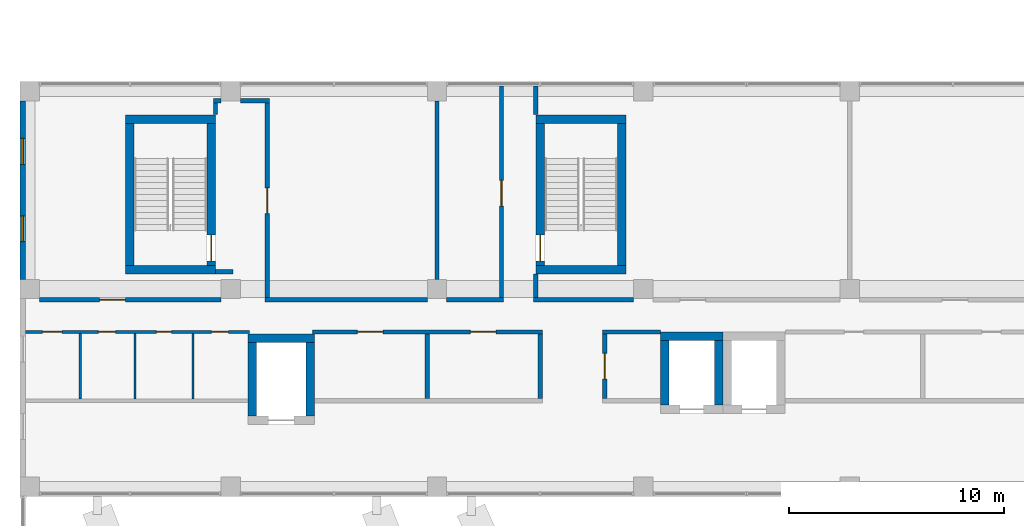
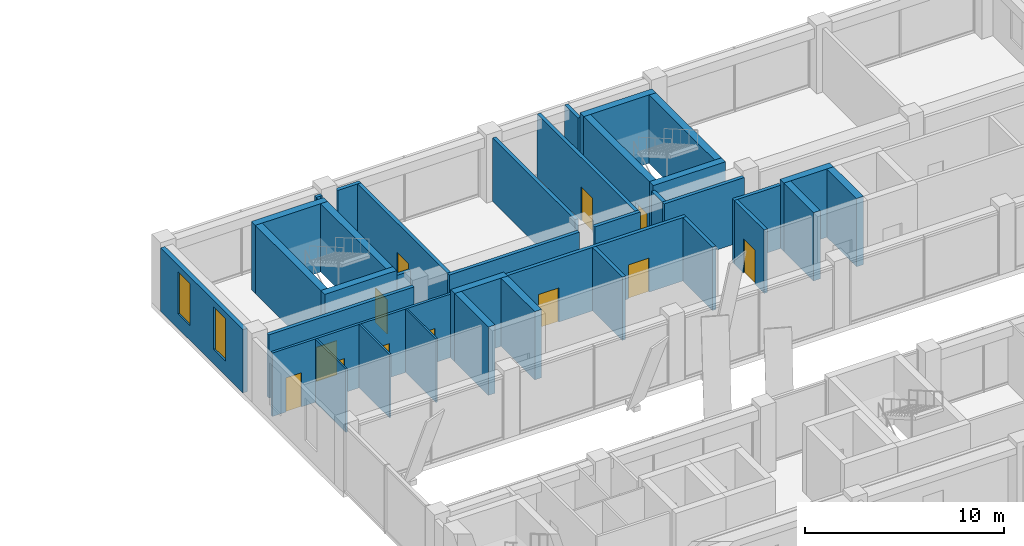
# One storey, part 28 of 36: 37 walls, 12 doors, 2 windows, 14 openings.
"""IFC4 building model written with IfcOpenShell, lengths in metres."""

from ifc_helpers import new_model, si_unit, direction, frame, frame_2d, origin, place, context, subcontext, project, spatial, rectangle, extrude, material, layer, layer_set, layer_usage, type_object, element, fill, save


model = new_model("IFC4")

# Units and contexts
model_context = context("Model", 3, precision=1e-05, world=origin(), true_north=direction((0.0, 1.0)))
body_context = subcontext(model_context, "Body", "Model", "MODEL_VIEW")
ifc_project = project(units=[si_unit("LENGTHUNIT", "METRE"), si_unit("AREAUNIT", "SQUARE_METRE"), si_unit("VOLUMEUNIT", "CUBIC_METRE"), si_unit("PLANEANGLEUNIT", "RADIAN"), si_unit("MASSUNIT", "GRAM", prefix="KILO")], contexts=[model_context])

# Site, building, storey
site_placement = place(None, origin())
site = spatial("IfcSite", under=ifc_project, at=site_placement, CompositionType="ELEMENT")
building_placement = place(site_placement, origin())
building = spatial("IfcBuilding", under=site, at=building_placement, Name="Nzadi Deep Aquarium and Research Tower", CompositionType="ELEMENT")
storey_placement = place(building_placement, frame((0.0, 0.0, 36.10009765625)))
storey = spatial("IfcBuildingStorey", under=building, at=storey_placement, Name="L06", CompositionType="ELEMENT", Elevation=36.10009765625)

# Wall, openings, windows
ifc_material_1 = material(Name="Concrete C35/45", Category="concrete")
ifc_layer_1 = layer(ifc_material_1, 0.14990234375, Category="cladding")
ifc_material_2 = material(Name="Mineral wool insulation")
ifc_layer_2 = layer(ifc_material_2, 0.070068359375, Category="insulation")
ifc_material_3 = material(Name="Gypsum board lining")
ifc_layer_3 = layer(ifc_material_3, 0.030029296875, Category="lining")
ifc_layer_set_1 = layer_set([ifc_layer_1, ifc_layer_2, ifc_layer_3], Name="Concrete C35/45, Mineral wool insulation, Gypsum board lining")
ifc_layer_usage = layer_usage(ifc_layer_set_1, "AXIS2", "POSITIVE", -0.125)
wall_type_1 = type_object("IfcWallType", Name="End wall board-formed concrete 250", PredefinedType="ELEMENTEDWALL", material=ifc_layer_set_1)
wall_1_placement = place(storey_placement, frame((-0.074462890625, 45.550048828125, 0.0), z_axis=(0.0, 0.0, 1.0), x_axis=(0.0, -1.0, 0.0)))
wall_1 = element("IfcWall", 1, at=wall_1_placement, inside=storey, type_object=wall_type_1, material=ifc_layer_usage, Name="End wall blade B west L06", PredefinedType="ELEMENTEDWALL", context=body_context, shape_type="SweptSolid", body=[
    extrude(rectangle(XDim=8.300048828125, YDim=0.25, at=frame_2d((4.14990234375, 0.0))), origin(), (0.0, 0.0, 1.0), 3.89990234375),
])
opening_1_placement = place(wall_1_placement, frame((5.35009765625, 0.0, 0.89990234375)))
opening_1 = element("IfcOpeningElement", 2, at=opening_1_placement, cuts=wall_1, Name="Opening WN04", PredefinedType="OPENING", context=body_context, shape_type="SweptSolid", body=[
    extrude(rectangle(XDim=1.199951171875, YDim=2.60009765625, at=frame_2d((0.60009765625, 1.300048828125))), frame((0.0, 0.135009765625, 0.0), z_axis=(0.0, -1.0, 0.0), x_axis=(1.0, 0.0, 0.0)), (0.0, 0.0, 1.0), 0.27001953125),
])
opening_2_placement = place(wall_1_placement, frame((1.75, 0.0, 0.89990234375)))
opening_2 = element("IfcOpeningElement", 3, at=opening_2_placement, cuts=wall_1, Name="Opening WN04", PredefinedType="OPENING", context=body_context, shape_type="SweptSolid", body=[
    extrude(rectangle(XDim=1.199951171875, YDim=2.60009765625, at=frame_2d((0.60009765625, 1.300048828125))), frame((0.0, 0.135009765625, 0.0), z_axis=(0.0, -1.0, 0.0), x_axis=(1.0, 0.0, 0.0)), (0.0, 0.0, 1.0), 0.27001953125),
])
ifc_material_4 = material(Name="Aluminium window, sage tint glazing", Category="aluminium")
window_type = type_object("IfcWindowType", Name="Slot window 1200x2600 sill 900", PartitioningType="SINGLE_PANEL", PredefinedType="WINDOW", material=ifc_material_4)
window_1_placement = place(opening_1_placement, origin())
window_1 = element("IfcWindow", 4, at=window_1_placement, inside=storey, type_object=window_type, Name="Slot window L06 BW", OverallHeight=2.60009765625, OverallWidth=1.199951171875, PartitioningType="SINGLE_PANEL", PredefinedType="WINDOW", context=body_context, shape_type="SweptSolid", body=[
    extrude(rectangle(XDim=1.199951171875, YDim=2.60009765625, at=frame_2d((0.60009765625, 1.300048828125))), frame((0.0, 0.030029296875, 0.0), z_axis=(0.0, -1.0, 0.0), x_axis=(1.0, 0.0, 0.0)), (0.0, 0.0, 1.0), 0.06005859375),
])
fill(opening_1, window_1)
window_2_placement = place(opening_2_placement, origin())
window_2 = element("IfcWindow", 5, at=window_2_placement, inside=storey, type_object=window_type, Name="Slot window L06 BW", OverallHeight=2.60009765625, OverallWidth=1.199951171875, PartitioningType="SINGLE_PANEL", PredefinedType="WINDOW", context=body_context, shape_type="SweptSolid", body=[
    extrude(rectangle(XDim=1.199951171875, YDim=2.60009765625, at=frame_2d((0.60009765625, 1.300048828125))), frame((0.0, 0.030029296875, 0.0), z_axis=(0.0, -1.0, 0.0), x_axis=(1.0, 0.0, 0.0)), (0.0, 0.0, 1.0), 0.06005859375),
])
fill(opening_2, window_2)

# Walls
ifc_material_5 = material(Name="Blockwork masonry", Category="masonry")
ifc_layer_4 = layer(ifc_material_5, 0.10009765625)
ifc_layer_set_2 = layer_set([ifc_layer_4], Name="Blockwork masonry")
wall_type_2 = type_object("IfcWallType", Name="Partition 100 EI 30", PredefinedType="PARTITIONING", material=ifc_layer_set_2)
for number, where, z_axis, x_axis, name in (
    (6, (2.60009765625, 31.675048828125, 0.0), (0.0, 0.0, 1.0), (0.0, 1.0, 0.0), "W-Z1-L06-P004"),
    (7, (5.14990234375, 31.675048828125, 0.0), (0.0, 0.0, 1.0), (0.0, 1.0, 0.0), "W-Z1-L06-P007"),
    (8, (7.85009765625, 31.675048828125, 0.0), (0.0, 0.0, 1.0), (0.0, 1.0, 0.0), "W-Z1-L06-P011"),
):
    element("IfcWall", number, at=place(storey_placement, frame(where, z_axis=z_axis, x_axis=x_axis)), inside=storey, type_object=wall_type_2, Name=name, PredefinedType="PARTITIONING", context=body_context, shape_type="SweptSolid", body=[
        extrude(rectangle(XDim=3.050048828125, YDim=0.10009765625, at=frame_2d((1.52490234375, 0.0))), origin(), (0.0, 0.0, 1.0), 3.89990234375),
    ])

# Wall, openings, doors
ifc_material_6 = material(Name="Blockwork masonry", Category="masonry")
ifc_layer_5 = layer(ifc_material_6, 0.14990234375)
ifc_layer_set_3 = layer_set([ifc_layer_5], Name="Blockwork masonry")
wall_type_3 = type_object("IfcWallType", Name="Partition 150 EI 60", PredefinedType="PARTITIONING", material=ifc_layer_set_3)
wall_2_placement = place(storey_placement, frame((0.055908203125, 34.800048828125, 0.0), z_axis=(0.0, 0.0, 1.0), x_axis=(1.0, 0.0, 0.0)))
wall_2 = element("IfcWall", 9, at=wall_2_placement, inside=storey, type_object=wall_type_3, Name="W-Z1-L06-P002", PredefinedType="PARTITIONING", context=body_context, shape_type="SweptSolid", body=[
    extrude(rectangle(XDim=10.419189453125, YDim=0.14990234375, at=frame_2d((5.20947265625, 0.0))), origin(), (0.0, 0.0, 1.0), 3.89990234375),
])
opening_3_placement = place(wall_2_placement, frame((0.7939453125, 0.0, 0.0)))
opening_3 = element("IfcOpeningElement", 10, at=opening_3_placement, cuts=wall_2, Name="Opening D071013", PredefinedType="OPENING", context=body_context, shape_type="SweptSolid", body=[
    extrude(rectangle(XDim=0.89990234375, YDim=2.10009765625, at=frame_2d((0.449951171875, 1.050048828125))), frame((0.0, 0.0849609375, 0.0), z_axis=(0.0, -1.0, 0.0), x_axis=(1.0, 0.0, 0.0)), (0.0, 0.0, 1.0), 0.169921875),
])
opening_4_placement = place(wall_2_placement, frame((3.39404296875, 0.0, 0.0)))
opening_4 = element("IfcOpeningElement", 11, at=opening_4_placement, cuts=wall_2, Name="Opening D071014", PredefinedType="OPENING", context=body_context, shape_type="SweptSolid", body=[
    extrude(rectangle(XDim=0.800048828125, YDim=2.10009765625, at=frame_2d((0.39990234375, 1.050048828125))), frame((0.0, 0.0849609375, 0.0), z_axis=(0.0, -1.0, 0.0), x_axis=(1.0, 0.0, 0.0)), (0.0, 0.0, 1.0), 0.169921875),
])
opening_5_placement = place(wall_2_placement, frame((6.093994140625, 0.0, 0.0)))
opening_5 = element("IfcOpeningElement", 12, at=opening_5_placement, cuts=wall_2, Name="Opening D071015", PredefinedType="OPENING", context=body_context, shape_type="SweptSolid", body=[
    extrude(rectangle(XDim=0.699951171875, YDim=2.10009765625, at=frame_2d((0.35009765625, 1.050048828125))), frame((0.0, 0.0849609375, 0.0), z_axis=(0.0, -1.0, 0.0), x_axis=(1.0, 0.0, 0.0)), (0.0, 0.0, 1.0), 0.169921875),
])
opening_6_placement = place(wall_2_placement, frame((8.64404296875, 0.0, 0.0)))
opening_6 = element("IfcOpeningElement", 13, at=opening_6_placement, cuts=wall_2, Name="Opening D071016", PredefinedType="OPENING", context=body_context, shape_type="SweptSolid", body=[
    extrude(rectangle(XDim=0.800048828125, YDim=2.10009765625, at=frame_2d((0.39990234375, 1.050048828125))), frame((0.0, 0.0849609375, 0.0), z_axis=(0.0, -1.0, 0.0), x_axis=(1.0, 0.0, 0.0)), (0.0, 0.0, 1.0), 0.169921875),
])
ifc_material_7 = material(Name="Fire-rated steel door", Category="steel")
ifc_layer_6 = layer(ifc_material_7, 0.050048828125)
ifc_layer_set_4 = layer_set([ifc_layer_6], Name="Fire-rated steel door")
door_type_1 = type_object("IfcDoorType", Name="Door 700x2100 EI 60 single", OperationType="SINGLE_SWING_LEFT", PredefinedType="DOOR", material=ifc_layer_set_4)
door_1_placement = place(opening_5_placement, origin())
door_1 = element("IfcDoor", 14, at=door_1_placement, inside=storey, type_object=door_type_1, Name="D071015", OperationType="SINGLE_SWING_LEFT", OverallHeight=2.10009765625, OverallWidth=0.699951171875, PredefinedType="DOOR", context=body_context, shape_type="SweptSolid", body=[
    extrude(rectangle(XDim=0.699951171875, YDim=2.10009765625, at=frame_2d((0.35009765625, 1.050048828125))), frame((0.0, 0.02490234375, 0.0), z_axis=(0.0, -1.0, 0.0), x_axis=(1.0, 0.0, 0.0)), (0.0, 0.0, 1.0), 0.050048828125),
])
fill(opening_5, door_1)
ifc_material_8 = material(Name="Fire-rated steel door", Category="steel")
ifc_layer_7 = layer(ifc_material_8, 0.050048828125)
ifc_layer_set_5 = layer_set([ifc_layer_7], Name="Fire-rated steel door")
door_type_2 = type_object("IfcDoorType", Name="Door 800x2100 EI 60 single", OperationType="SINGLE_SWING_LEFT", PredefinedType="DOOR", material=ifc_layer_set_5)
door_2_placement = place(opening_4_placement, origin())
door_2 = element("IfcDoor", 15, at=door_2_placement, inside=storey, type_object=door_type_2, Name="D071014", OperationType="SINGLE_SWING_LEFT", OverallHeight=2.10009765625, OverallWidth=0.800048828125, PredefinedType="DOOR", context=body_context, shape_type="SweptSolid", body=[
    extrude(rectangle(XDim=0.800048828125, YDim=2.10009765625, at=frame_2d((0.39990234375, 1.050048828125))), frame((0.0, 0.02490234375, 0.0), z_axis=(0.0, -1.0, 0.0), x_axis=(1.0, 0.0, 0.0)), (0.0, 0.0, 1.0), 0.050048828125),
])
fill(opening_4, door_2)
door_3_placement = place(opening_6_placement, origin())
door_3 = element("IfcDoor", 16, at=door_3_placement, inside=storey, type_object=door_type_2, Name="D071016", OperationType="SINGLE_SWING_LEFT", OverallHeight=2.10009765625, OverallWidth=0.800048828125, PredefinedType="DOOR", context=body_context, shape_type="SweptSolid", body=[
    extrude(rectangle(XDim=0.800048828125, YDim=2.10009765625, at=frame_2d((0.39990234375, 1.050048828125))), frame((0.0, 0.02490234375, 0.0), z_axis=(0.0, -1.0, 0.0), x_axis=(1.0, 0.0, 0.0)), (0.0, 0.0, 1.0), 0.050048828125),
])
fill(opening_6, door_3)
ifc_material_9 = material(Name="Fire-rated steel door", Category="steel")
ifc_layer_8 = layer(ifc_material_9, 0.050048828125)
ifc_layer_set_6 = layer_set([ifc_layer_8], Name="Fire-rated steel door")
door_type_3 = type_object("IfcDoorType", Name="Door 900x2100 EI 60 single", OperationType="SINGLE_SWING_LEFT", PredefinedType="DOOR", material=ifc_layer_set_6)
door_4_placement = place(opening_3_placement, origin())
door_4 = element("IfcDoor", 17, at=door_4_placement, inside=storey, type_object=door_type_3, Name="D071013", OperationType="SINGLE_SWING_LEFT", OverallHeight=2.10009765625, OverallWidth=0.89990234375, PredefinedType="DOOR", context=body_context, shape_type="SweptSolid", body=[
    extrude(rectangle(XDim=0.89990234375, YDim=2.10009765625, at=frame_2d((0.449951171875, 1.050048828125))), frame((0.0, 0.02490234375, 0.0), z_axis=(0.0, -1.0, 0.0), x_axis=(1.0, 0.0, 0.0)), (0.0, 0.0, 1.0), 0.050048828125),
])
fill(opening_3, door_4)

# Wall, opening, door
ifc_material_10 = material(Name="Blockwork masonry", Category="masonry")
ifc_layer_9 = layer(ifc_material_10, 0.199951171875)
ifc_layer_set_7 = layer_set([ifc_layer_9], Name="Blockwork masonry")
wall_type_4 = type_object("IfcWallType", Name="Partition 200 EI 120", PredefinedType="PARTITIONING", material=ifc_layer_set_7)
wall_3_placement = place(storey_placement, frame((0.699951171875, 36.300048828125, 0.0), z_axis=(0.0, 0.0, 1.0), x_axis=(1.0, 0.0, 0.0)))
wall_3 = element("IfcWall", 18, at=wall_3_placement, inside=storey, type_object=wall_type_4, Name="W-Z1-L06-P003", PredefinedType="PARTITIONING", context=body_context, shape_type="SweptSolid", body=[
    extrude(rectangle(XDim=8.449951171875, YDim=0.199951171875, at=frame_2d((4.22509765625, 0.0))), origin(), (0.0, 0.0, 1.0), 3.89990234375),
])
opening_7_placement = place(wall_3_placement, frame((2.800048828125, 0.0, 0.0)))
opening_7 = element("IfcOpeningElement", 19, at=opening_7_placement, cuts=wall_3, Name="Opening D071022", PredefinedType="OPENING", context=body_context, shape_type="SweptSolid", body=[
    extrude(rectangle(XDim=1.199951171875, YDim=2.10009765625, at=frame_2d((0.60009765625, 1.050048828125))), frame((0.0, 0.110107421875, 0.0), z_axis=(0.0, -1.0, 0.0), x_axis=(1.0, 0.0, 0.0)), (0.0, 0.0, 1.0), 0.22021484375),
])
ifc_material_11 = material(Name="Fire-rated steel door", Category="steel")
ifc_layer_10 = layer(ifc_material_11, 0.050048828125)
ifc_layer_set_8 = layer_set([ifc_layer_10], Name="Fire-rated steel door")
door_type_4 = type_object("IfcDoorType", Name="Door 1200x2100 EI 120 single", OperationType="SINGLE_SWING_LEFT", PredefinedType="DOOR", material=ifc_layer_set_8)
door_5_placement = place(opening_7_placement, origin())
door_5 = element("IfcDoor", 20, at=door_5_placement, inside=storey, type_object=door_type_4, Name="D071022", OperationType="SINGLE_SWING_RIGHT", OverallHeight=2.10009765625, OverallWidth=1.199951171875, PredefinedType="DOOR", context=body_context, shape_type="SweptSolid", body=[
    extrude(rectangle(XDim=1.199951171875, YDim=2.10009765625, at=frame_2d((0.60009765625, 1.050048828125))), frame((0.0, 0.02490234375, 0.0), z_axis=(0.0, -1.0, 0.0), x_axis=(1.0, 0.0, 0.0)), (0.0, 0.0, 1.0), 0.050048828125),
])
fill(opening_7, door_5)

# Walls
wall_4_placement = place(storey_placement, frame((8.89990234375, 44.906005859375, 0.0), z_axis=(0.0, 0.0, 1.0), x_axis=(0.0, 1.0, 0.0)))
element("IfcWall", 21, at=wall_4_placement, inside=storey, type_object=wall_type_4, Name="W-Z1-L06-P014", PredefinedType="PARTITIONING", context=body_context, shape_type="SweptSolid", body=[
    extrude(rectangle(XDim=0.5439453125, YDim=0.199951171875, at=frame_2d((0.27197265625, 0.0))), origin(), (0.0, 0.0, 1.0), 3.89990234375),
])
wall_5_placement = place(storey_placement, frame((8.800048828125, 45.550048828125, 0.0), z_axis=(0.0, 0.0, 1.0), x_axis=(1.0, 0.0, 0.0)))
element("IfcWall", 22, at=wall_5_placement, inside=storey, type_object=wall_type_4, Name="W-Z1-L06-P015", PredefinedType="PARTITIONING", context=body_context, shape_type="SweptSolid", body=[
    extrude(rectangle(XDim=0.349853515625, YDim=0.199951171875, at=frame_2d((0.1748046875, 0.0))), origin(), (0.0, 0.0, 1.0), 3.89990234375),
])
wall_6_placement = place(storey_placement, frame((8.906005859375, 37.60009765625, 0.0), z_axis=(0.0, 0.0, 1.0), x_axis=(1.0, 0.0, 0.0)))
element("IfcWall", 23, at=wall_6_placement, inside=storey, type_object=wall_type_4, Name="W-Z1-L06-P016", PredefinedType="PARTITIONING", context=body_context, shape_type="SweptSolid", body=[
    extrude(rectangle(XDim=0.7939453125, YDim=0.199951171875, at=frame_2d((0.39697265625, 0.0))), origin(), (0.0, 0.0, 1.0), 3.89990234375),
])
wall_7_placement = place(storey_placement, frame((10.050048828125, 45.550048828125, 0.0), z_axis=(0.0, 0.0, 1.0), x_axis=(1.0, 0.0, 0.0)))
element("IfcWall", 24, at=wall_7_placement, inside=storey, type_object=wall_type_4, Name="W-Z1-L06-P018", PredefinedType="PARTITIONING", context=body_context, shape_type="SweptSolid", body=[
    extrude(rectangle(XDim=1.349853515625, YDim=0.199951171875, at=frame_2d((0.6748046875, 0.0))), origin(), (0.0, 0.0, 1.0), 3.89990234375),
])
wall_8_placement = place(storey_placement, frame((11.199951171875, 36.300048828125, 0.0), z_axis=(0.0, 0.0, 1.0), x_axis=(1.0, 0.0, 0.0)))
element("IfcWall", 25, at=wall_8_placement, inside=storey, type_object=wall_type_4, Name="W-Z1-L06-P020", PredefinedType="PARTITIONING", context=body_context, shape_type="SweptSolid", body=[
    extrude(rectangle(XDim=7.550048828125, YDim=0.199951171875, at=frame_2d((3.77490234375, 0.0))), origin(), (0.0, 0.0, 1.0), 3.89990234375),
])

# Wall, opening, door
wall_9_placement = place(storey_placement, frame((11.300048828125, 36.39990234375, 0.0), z_axis=(0.0, 0.0, 1.0), x_axis=(0.0, 1.0, 0.0)))
wall_9 = element("IfcWall", 26, at=wall_9_placement, inside=storey, type_object=wall_type_4, Name="W-Z1-L06-P021", PredefinedType="PARTITIONING", context=body_context, shape_type="SweptSolid", body=[
    extrude(rectangle(XDim=9.050048828125, YDim=0.199951171875, at=frame_2d((4.52490234375, 0.0))), origin(), (0.0, 0.0, 1.0), 3.89990234375),
])
opening_8_placement = place(wall_9_placement, frame((3.89990234375, 0.0, 0.0)))
opening_8 = element("IfcOpeningElement", 27, at=opening_8_placement, cuts=wall_9, Name="Opening D071023", PredefinedType="OPENING", context=body_context, shape_type="SweptSolid", body=[
    extrude(rectangle(XDim=1.199951171875, YDim=2.10009765625, at=frame_2d((0.60009765625, 1.050048828125))), frame((0.0, 0.110107421875, 0.0), z_axis=(0.0, -1.0, 0.0), x_axis=(1.0, 0.0, 0.0)), (0.0, 0.0, 1.0), 0.22021484375),
])
door_6_placement = place(opening_8_placement, origin())
door_6 = element("IfcDoor", 28, at=door_6_placement, inside=storey, type_object=door_type_4, Name="D071023", OperationType="SINGLE_SWING_LEFT", OverallHeight=2.10009765625, OverallWidth=1.199951171875, PredefinedType="DOOR", context=body_context, shape_type="SweptSolid", body=[
    extrude(rectangle(XDim=1.199951171875, YDim=2.10009765625, at=frame_2d((0.60009765625, 1.050048828125))), frame((0.0, 0.02490234375, 0.0), z_axis=(0.0, -1.0, 0.0), x_axis=(1.0, 0.0, 0.0)), (0.0, 0.0, 1.0), 0.050048828125),
])
fill(opening_8, door_6)

# Wall, openings, doors
wall_10_placement = place(storey_placement, frame((13.39990234375, 34.800048828125, 0.0), z_axis=(0.0, 0.0, 1.0), x_axis=(1.0, 0.0, 0.0)))
wall_10 = element("IfcWall", 29, at=wall_10_placement, inside=storey, type_object=wall_type_4, Name="W-Z1-L06-P022", PredefinedType="PARTITIONING", context=body_context, shape_type="SweptSolid", body=[
    extrude(rectangle(XDim=10.7001953125, YDim=0.199951171875, at=frame_2d((5.35009765625, 0.0))), origin(), (0.0, 0.0, 1.0), 3.89990234375),
])
opening_9_placement = place(wall_10_placement, frame((2.10009765625, 0.0, 0.0)))
opening_9 = element("IfcOpeningElement", 30, at=opening_9_placement, cuts=wall_10, Name="Opening D071017", PredefinedType="OPENING", context=body_context, shape_type="SweptSolid", body=[
    extrude(rectangle(XDim=1.199951171875, YDim=2.10009765625, at=frame_2d((0.60009765625, 1.050048828125))), frame((0.0, 0.110107421875, 0.0), z_axis=(0.0, -1.0, 0.0), x_axis=(1.0, 0.0, 0.0)), (0.0, 0.0, 1.0), 0.22021484375),
])
opening_10_placement = place(wall_10_placement, frame((7.35009765625, 0.0, 0.0)))
opening_10 = element("IfcOpeningElement", 31, at=opening_10_placement, cuts=wall_10, Name="Opening D071018", PredefinedType="OPENING", context=body_context, shape_type="SweptSolid", body=[
    extrude(rectangle(XDim=1.199951171875, YDim=2.10009765625, at=frame_2d((0.60009765625, 1.050048828125))), frame((0.0, 0.110107421875, 0.0), z_axis=(0.0, -1.0, 0.0), x_axis=(1.0, 0.0, 0.0)), (0.0, 0.0, 1.0), 0.22021484375),
])
door_7_placement = place(opening_9_placement, origin())
door_7 = element("IfcDoor", 32, at=door_7_placement, inside=storey, type_object=door_type_4, Name="D071017", OperationType="SINGLE_SWING_RIGHT", OverallHeight=2.10009765625, OverallWidth=1.199951171875, PredefinedType="DOOR", context=body_context, shape_type="SweptSolid", body=[
    extrude(rectangle(XDim=1.199951171875, YDim=2.10009765625, at=frame_2d((0.60009765625, 1.050048828125))), frame((0.0, 0.02490234375, 0.0), z_axis=(0.0, -1.0, 0.0), x_axis=(1.0, 0.0, 0.0)), (0.0, 0.0, 1.0), 0.050048828125),
])
fill(opening_9, door_7)
door_8_placement = place(opening_10_placement, origin())
door_8 = element("IfcDoor", 33, at=door_8_placement, inside=storey, type_object=door_type_4, Name="D071018", OperationType="SINGLE_SWING_LEFT", OverallHeight=2.10009765625, OverallWidth=1.199951171875, PredefinedType="DOOR", context=body_context, shape_type="SweptSolid", body=[
    extrude(rectangle(XDim=1.199951171875, YDim=2.10009765625, at=frame_2d((0.60009765625, 1.050048828125))), frame((0.0, 0.02490234375, 0.0), z_axis=(0.0, -1.0, 0.0), x_axis=(1.0, 0.0, 0.0)), (0.0, 0.0, 1.0), 0.050048828125),
])
fill(opening_10, door_8)

# Walls
wall_11_placement = place(storey_placement, frame((18.75, 31.699951171875, 0.0), z_axis=(0.0, 0.0, 1.0), x_axis=(0.0, 1.0, 0.0)))
element("IfcWall", 34, at=wall_11_placement, inside=storey, type_object=wall_type_4, Name="W-Z1-L06-P024", PredefinedType="PARTITIONING", context=body_context, shape_type="SweptSolid", body=[
    extrude(rectangle(XDim=3.0, YDim=0.199951171875, at=frame_2d((1.5, 0.0))), origin(), (0.0, 0.0, 1.0), 3.89990234375),
])
wall_12_placement = place(storey_placement, frame((19.199951171875, 37.25, 0.0), z_axis=(0.0, 0.0, 1.0), x_axis=(0.0, 1.0, 0.0)))
element("IfcWall", 35, at=wall_12_placement, inside=storey, type_object=wall_type_4, Name="W-Z1-L06-P026", PredefinedType="PARTITIONING", context=body_context, shape_type="SweptSolid", body=[
    extrude(rectangle(XDim=8.300048828125, YDim=0.199951171875, at=frame_2d((4.14990234375, 0.0))), origin(), (0.0, 0.0, 1.0), 3.89990234375),
])
wall_13_placement = place(storey_placement, frame((19.64990234375, 36.300048828125, 0.0), z_axis=(0.0, 0.0, 1.0), x_axis=(1.0, 0.0, 0.0)))
element("IfcWall", 36, at=wall_13_placement, inside=storey, type_object=wall_type_4, Name="W-Z1-L06-P027", PredefinedType="PARTITIONING", context=body_context, shape_type="SweptSolid", body=[
    extrude(rectangle(XDim=2.650146484375, YDim=0.199951171875, at=frame_2d((1.3251953125, 0.0))), origin(), (0.0, 0.0, 1.0), 3.89990234375),
])

# Wall, opening, door
wall_14_placement = place(storey_placement, frame((22.199951171875, 36.39990234375, 0.0), z_axis=(0.0, 0.0, 1.0), x_axis=(0.0, 1.0, 0.0)))
wall_14 = element("IfcWall", 37, at=wall_14_placement, inside=storey, type_object=wall_type_4, Name="W-Z1-L06-P028", PredefinedType="PARTITIONING", context=body_context, shape_type="SweptSolid", body=[
    extrude(rectangle(XDim=9.843994140625, YDim=0.199951171875, at=frame_2d((4.921875, 0.0))), origin(), (0.0, 0.0, 1.0), 3.89990234375),
])
opening_11_placement = place(wall_14_placement, frame((4.25, 0.0, 0.0)))
opening_11 = element("IfcOpeningElement", 38, at=opening_11_placement, cuts=wall_14, Name="Opening D071024", PredefinedType="OPENING", context=body_context, shape_type="SweptSolid", body=[
    extrude(rectangle(XDim=1.199951171875, YDim=2.10009765625, at=frame_2d((0.60009765625, 1.050048828125))), frame((0.0, 0.110107421875, 0.0), z_axis=(0.0, -1.0, 0.0), x_axis=(1.0, 0.0, 0.0)), (0.0, 0.0, 1.0), 0.22021484375),
])
door_9_placement = place(opening_11_placement, origin())
door_9 = element("IfcDoor", 39, at=door_9_placement, inside=storey, type_object=door_type_4, Name="D071024", OperationType="SINGLE_SWING_RIGHT", OverallHeight=2.10009765625, OverallWidth=1.199951171875, PredefinedType="DOOR", context=body_context, shape_type="SweptSolid", body=[
    extrude(rectangle(XDim=1.199951171875, YDim=2.10009765625, at=frame_2d((0.60009765625, 1.050048828125))), frame((0.0, 0.02490234375, 0.0), z_axis=(0.0, -1.0, 0.0), x_axis=(1.0, 0.0, 0.0)), (0.0, 0.0, 1.0), 0.050048828125),
])
fill(opening_11, door_9)

# Walls
wall_15_placement = place(storey_placement, frame((23.699951171875, 36.300048828125, 0.0), z_axis=(0.0, 0.0, 1.0), x_axis=(1.0, 0.0, 0.0)))
element("IfcWall", 40, at=wall_15_placement, inside=storey, type_object=wall_type_4, Name="W-Z1-L06-P029", PredefinedType="PARTITIONING", context=body_context, shape_type="SweptSolid", body=[
    extrude(rectangle(XDim=4.650146484375, YDim=0.199951171875, at=frame_2d((2.3251953125, 0.0))), origin(), (0.0, 0.0, 1.0), 3.89990234375),
])
wall_16_placement = place(storey_placement, frame((23.800048828125, 36.39990234375, 0.0), z_axis=(0.0, 0.0, 1.0), x_axis=(0.0, 1.0, 0.0)))
element("IfcWall", 41, at=wall_16_placement, inside=storey, type_object=wall_type_4, Name="W-Z1-L06-P030", PredefinedType="PARTITIONING", context=body_context, shape_type="SweptSolid", body=[
    extrude(rectangle(XDim=1.093994140625, YDim=0.199951171875, at=frame_2d((0.546875, 0.0))), origin(), (0.0, 0.0, 1.0), 3.89990234375),
])
wall_17_placement = place(storey_placement, frame((23.800048828125, 44.906005859375, 0.0), z_axis=(0.0, 0.0, 1.0), x_axis=(0.0, 1.0, 0.0)))
element("IfcWall", 42, at=wall_17_placement, inside=storey, type_object=wall_type_4, Name="W-Z1-L06-P031", PredefinedType="PARTITIONING", context=body_context, shape_type="SweptSolid", body=[
    extrude(rectangle(XDim=1.337890625, YDim=0.199951171875, at=frame_2d((0.6689453125, 0.0))), origin(), (0.0, 0.0, 1.0), 3.89990234375),
])
wall_18_placement = place(storey_placement, frame((24.0, 31.699951171875, 0.0), z_axis=(0.0, 0.0, 1.0), x_axis=(0.0, 1.0, 0.0)))
element("IfcWall", 43, at=wall_18_placement, inside=storey, type_object=wall_type_4, Name="W-Z1-L06-P032", PredefinedType="PARTITIONING", context=body_context, shape_type="SweptSolid", body=[
    extrude(rectangle(XDim=3.0, YDim=0.199951171875, at=frame_2d((1.5, 0.0))), origin(), (0.0, 0.0, 1.0), 3.89990234375),
])

# Wall, opening, door
wall_19_placement = place(storey_placement, frame((27.0, 31.699951171875, 0.0), z_axis=(0.0, 0.0, 1.0), x_axis=(0.0, 1.0, 0.0)))
wall_19 = element("IfcWall", 44, at=wall_19_placement, inside=storey, type_object=wall_type_4, Name="W-Z1-L06-P034", PredefinedType="PARTITIONING", context=body_context, shape_type="SweptSolid", body=[
    extrude(rectangle(XDim=3.0, YDim=0.199951171875, at=frame_2d((1.5, 0.0))), origin(), (0.0, 0.0, 1.0), 3.89990234375),
])
opening_12_placement = place(wall_19_placement, frame((0.89990234375, 0.0, 0.0)))
opening_12 = element("IfcOpeningElement", 45, at=opening_12_placement, cuts=wall_19, Name="Opening D071019", PredefinedType="OPENING", context=body_context, shape_type="SweptSolid", body=[
    extrude(rectangle(XDim=1.199951171875, YDim=2.10009765625, at=frame_2d((0.60009765625, 1.050048828125))), frame((0.0, 0.110107421875, 0.0), z_axis=(0.0, -1.0, 0.0), x_axis=(1.0, 0.0, 0.0)), (0.0, 0.0, 1.0), 0.22021484375),
])
door_10_placement = place(opening_12_placement, origin())
door_10 = element("IfcDoor", 46, at=door_10_placement, inside=storey, type_object=door_type_4, Name="D071019", OperationType="SINGLE_SWING_RIGHT", OverallHeight=2.10009765625, OverallWidth=1.199951171875, PredefinedType="DOOR", context=body_context, shape_type="SweptSolid", body=[
    extrude(rectangle(XDim=1.199951171875, YDim=2.10009765625, at=frame_2d((0.60009765625, 1.050048828125))), frame((0.0, 0.02490234375, 0.0), z_axis=(0.0, -1.0, 0.0), x_axis=(1.0, 0.0, 0.0)), (0.0, 0.0, 1.0), 0.050048828125),
])
fill(opening_12, door_10)

# Walls
wall_20_placement = place(storey_placement, frame((26.89990234375, 34.800048828125, 0.0), z_axis=(0.0, 0.0, 1.0), x_axis=(1.0, 0.0, 0.0)))
element("IfcWall", 47, at=wall_20_placement, inside=storey, type_object=wall_type_4, Name="W-Z1-L06-P035", PredefinedType="PARTITIONING", context=body_context, shape_type="SweptSolid", body=[
    extrude(rectangle(XDim=2.694091796875, YDim=0.199951171875, at=frame_2d((1.34716796875, 0.0))), origin(), (0.0, 0.0, 1.0), 3.89990234375),
])
ifc_material_12 = material(Name="Concrete C35/45", Category="concrete")
ifc_layer_11 = layer(ifc_material_12, 0.39990234375)
ifc_layer_set_9 = layer_set([ifc_layer_11], Name="Concrete C35/45")
wall_type_5 = type_object("IfcWallType", Name="RC core wall 400", PredefinedType="SHEAR", material=ifc_layer_set_9)
for number, where, z_axis, x_axis, name in (
    (48, (4.699951171875, 37.699951171875, 0.0), (0.0, 0.0, 1.0), (1.0, 0.0, 0.0), "W-CORE-ST-Z1-NW-L06-S"),
    (49, (4.699951171875, 44.699951171875, 0.0), (0.0, 0.0, 1.0), (1.0, 0.0, 0.0), "W-CORE-ST-Z1-NW-L06-N"),
):
    element("IfcWall", number, at=place(storey_placement, frame(where, z_axis=z_axis, x_axis=x_axis)), inside=storey, type_object=wall_type_5, Name=name, PredefinedType="SHEAR", context=body_context, shape_type="SweptSolid", body=[
        extrude(rectangle(XDim=4.199951171875, YDim=0.39990234375, at=frame_2d((2.10009765625, 0.0))), origin(), (0.0, 0.0, 1.0), 4.199951171875),
    ])
wall_21_placement = place(storey_placement, frame((4.89990234375, 37.89990234375, 0.0), z_axis=(0.0, 0.0, 1.0), x_axis=(0.0, 1.0, 0.0)))
element("IfcWall", 50, at=wall_21_placement, inside=storey, type_object=wall_type_5, Name="W-CORE-ST-Z1-NW-L06-W", PredefinedType="SHEAR", context=body_context, shape_type="SweptSolid", body=[
    extrude(rectangle(XDim=6.60009765625, YDim=0.39990234375, at=frame_2d((3.300048828125, 0.0))), origin(), (0.0, 0.0, 1.0), 4.199951171875),
])

# Wall, opening, door
wall_22_placement = place(storey_placement, frame((8.699951171875, 37.89990234375, 0.0), z_axis=(0.0, 0.0, 1.0), x_axis=(0.0, 1.0, 0.0)))
wall_22 = element("IfcWall", 51, at=wall_22_placement, inside=storey, type_object=wall_type_5, Name="W-CORE-ST-Z1-NW-L06-E", PredefinedType="SHEAR", context=body_context, shape_type="SweptSolid", body=[
    extrude(rectangle(XDim=6.60009765625, YDim=0.39990234375, at=frame_2d((3.300048828125, 0.0))), origin(), (0.0, 0.0, 1.0), 4.199951171875),
])
opening_13_placement = place(wall_22_placement, frame((0.2099609375, 0.0, 0.0)))
opening_13 = element("IfcOpeningElement", 52, at=opening_13_placement, cuts=wall_22, Name="Opening DS-Z1-NW-L06", PredefinedType="OPENING", context=body_context, shape_type="SweptSolid", body=[
    extrude(rectangle(XDim=1.199951171875, YDim=2.10009765625, at=frame_2d((0.60009765625, 1.050048828125))), frame((0.0, 0.2099609375, 0.0), z_axis=(0.0, -1.0, 0.0), x_axis=(1.0, 0.0, 0.0)), (0.0, 0.0, 1.0), 0.419921875),
])
ifc_material_13 = material(Name="Steel, powder coated", Category="steel")
door_type_5 = type_object("IfcDoorType", Name="STAIR DOOR 1200x2100 EI 60", OperationType="SINGLE_SWING_LEFT", PredefinedType="DOOR", material=ifc_material_13)
door_11_placement = place(opening_13_placement, origin())
door_11 = element("IfcDoor", 53, at=door_11_placement, inside=storey, type_object=door_type_5, Name="Stair door ST-Z1-NW L06", OperationType="SINGLE_SWING_RIGHT", OverallHeight=2.10009765625, OverallWidth=1.199951171875, PredefinedType="DOOR", context=body_context, shape_type="SweptSolid", body=[
    extrude(rectangle(XDim=1.199951171875, YDim=2.10009765625, at=frame_2d((0.60009765625, 1.050048828125))), frame((0.0, 0.02490234375, 0.0), z_axis=(0.0, -1.0, 0.0), x_axis=(1.0, 0.0, 0.0)), (0.0, 0.0, 1.0), 0.050048828125),
])
fill(opening_13, door_11)

# Walls
for number, where, z_axis, x_axis, name in (
    (54, (23.800048828125, 37.699951171875, 0.0), (0.0, 0.0, 1.0), (1.0, 0.0, 0.0), "W-CORE-ST-Z1-NE-L06-S"),
    (55, (23.800048828125, 44.699951171875, 0.0), (0.0, 0.0, 1.0), (1.0, 0.0, 0.0), "W-CORE-ST-Z1-NE-L06-N"),
):
    element("IfcWall", number, at=place(storey_placement, frame(where, z_axis=z_axis, x_axis=x_axis)), inside=storey, type_object=wall_type_5, Name=name, PredefinedType="SHEAR", context=body_context, shape_type="SweptSolid", body=[
        extrude(rectangle(XDim=4.199951171875, YDim=0.39990234375, at=frame_2d((2.10009765625, 0.0))), origin(), (0.0, 0.0, 1.0), 4.199951171875),
    ])

# Wall, opening, door
wall_23_placement = place(storey_placement, frame((24.0, 37.89990234375, 0.0), z_axis=(0.0, 0.0, 1.0), x_axis=(0.0, 1.0, 0.0)))
wall_23 = element("IfcWall", 56, at=wall_23_placement, inside=storey, type_object=wall_type_5, Name="W-CORE-ST-Z1-NE-L06-W", PredefinedType="SHEAR", context=body_context, shape_type="SweptSolid", body=[
    extrude(rectangle(XDim=6.60009765625, YDim=0.39990234375, at=frame_2d((3.300048828125, 0.0))), origin(), (0.0, 0.0, 1.0), 4.199951171875),
])
opening_14_placement = place(wall_23_placement, frame((0.2099609375, 0.0, 0.0)))
opening_14 = element("IfcOpeningElement", 57, at=opening_14_placement, cuts=wall_23, Name="Opening DS-Z1-NE-L06", PredefinedType="OPENING", context=body_context, shape_type="SweptSolid", body=[
    extrude(rectangle(XDim=1.199951171875, YDim=2.10009765625, at=frame_2d((0.60009765625, 1.050048828125))), frame((0.0, 0.2099609375, 0.0), z_axis=(0.0, -1.0, 0.0), x_axis=(1.0, 0.0, 0.0)), (0.0, 0.0, 1.0), 0.419921875),
])
door_12_placement = place(opening_14_placement, origin())
door_12 = element("IfcDoor", 58, at=door_12_placement, inside=storey, type_object=door_type_5, Name="Stair door ST-Z1-NE L06", OperationType="SINGLE_SWING_LEFT", OverallHeight=2.10009765625, OverallWidth=1.199951171875, PredefinedType="DOOR", context=body_context, shape_type="SweptSolid", body=[
    extrude(rectangle(XDim=1.199951171875, YDim=2.10009765625, at=frame_2d((0.60009765625, 1.050048828125))), frame((0.0, 0.02490234375, 0.0), z_axis=(0.0, -1.0, 0.0), x_axis=(1.0, 0.0, 0.0)), (0.0, 0.0, 1.0), 0.050048828125),
])
fill(opening_14, door_12)

# Walls
wall_24_placement = place(storey_placement, frame((27.800048828125, 37.89990234375, 0.0), z_axis=(0.0, 0.0, 1.0), x_axis=(0.0, 1.0, 0.0)))
element("IfcWall", 59, at=wall_24_placement, inside=storey, type_object=wall_type_5, Name="W-CORE-ST-Z1-NE-L06-E", PredefinedType="SHEAR", context=body_context, shape_type="SweptSolid", body=[
    extrude(rectangle(XDim=6.60009765625, YDim=0.39990234375, at=frame_2d((3.300048828125, 0.0))), origin(), (0.0, 0.0, 1.0), 4.199951171875),
])
wall_25_placement = place(storey_placement, frame((10.39990234375, 34.5, 0.0), z_axis=(0.0, 0.0, 1.0), x_axis=(1.0, 0.0, 0.0)))
element("IfcWall", 60, at=wall_25_placement, inside=storey, type_object=wall_type_5, Name="W-CORE-FL2-L06-N", PredefinedType="SHEAR", context=body_context, shape_type="SweptSolid", body=[
    extrude(rectangle(XDim=3.10009765625, YDim=0.39990234375, at=frame_2d((1.550048828125, 0.0))), origin(), (0.0, 0.0, 1.0), 4.199951171875),
])
for number, where, z_axis, x_axis, name in (
    (61, (10.60009765625, 30.89990234375, 0.0), (0.0, 0.0, 1.0), (0.0, 1.0, 0.0), "W-CORE-FL2-L06-W"),
    (62, (13.300048828125, 30.89990234375, 0.0), (0.0, 0.0, 1.0), (0.0, 1.0, 0.0), "W-CORE-FL2-L06-E"),
):
    element("IfcWall", number, at=place(storey_placement, frame(where, z_axis=z_axis, x_axis=x_axis)), inside=storey, type_object=wall_type_5, Name=name, PredefinedType="SHEAR", context=body_context, shape_type="SweptSolid", body=[
        extrude(rectangle(XDim=3.400146484375, YDim=0.39990234375, at=frame_2d((1.7001953125, 0.0))), origin(), (0.0, 0.0, 1.0), 4.199951171875),
    ])
wall_26_placement = place(storey_placement, frame((29.60009765625, 34.60009765625, 0.0), z_axis=(0.0, 0.0, 1.0), x_axis=(1.0, 0.0, 0.0)))
element("IfcWall", 63, at=wall_26_placement, inside=storey, type_object=wall_type_5, Name="W-CORE-TL3-L06-N", PredefinedType="SHEAR", context=body_context, shape_type="SweptSolid", body=[
    extrude(rectangle(XDim=2.89990234375, YDim=0.39990234375, at=frame_2d((1.449951171875, 0.0))), origin(), (0.0, 0.0, 1.0), 4.199951171875),
])
for number, where, z_axis, x_axis, name in (
    (64, (29.800048828125, 31.39990234375, 0.0), (0.0, 0.0, 1.0), (0.0, 1.0, 0.0), "W-CORE-TL3-L06-W"),
    (65, (32.300048828125, 31.39990234375, 0.0), (0.0, 0.0, 1.0), (0.0, 1.0, 0.0), "W-CORE-TL3-L06-E"),
):
    element("IfcWall", number, at=place(storey_placement, frame(where, z_axis=z_axis, x_axis=x_axis)), inside=storey, type_object=wall_type_5, Name=name, PredefinedType="SHEAR", context=body_context, shape_type="SweptSolid", body=[
        extrude(rectangle(XDim=3.0, YDim=0.39990234375, at=frame_2d((1.5, 0.0))), origin(), (0.0, 0.0, 1.0), 4.199951171875),
    ])

save(model, "model.ifc")
